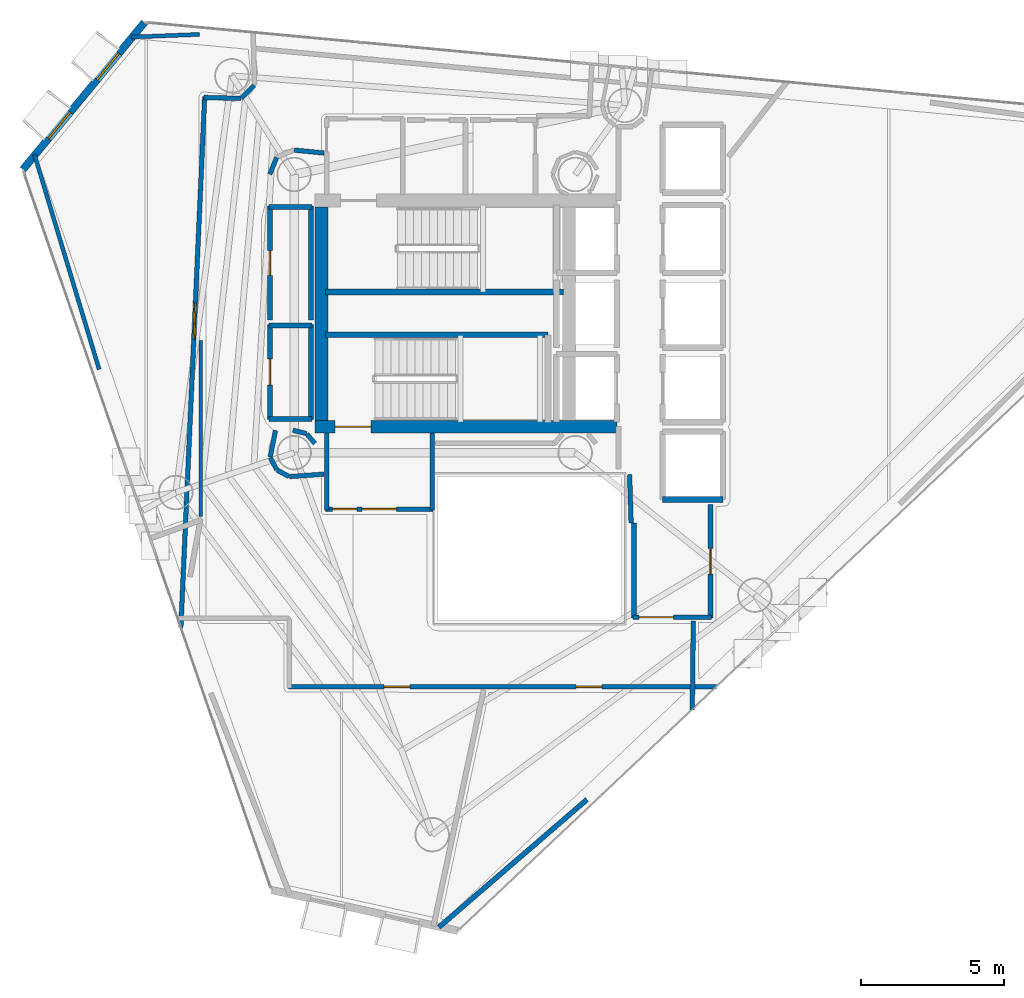
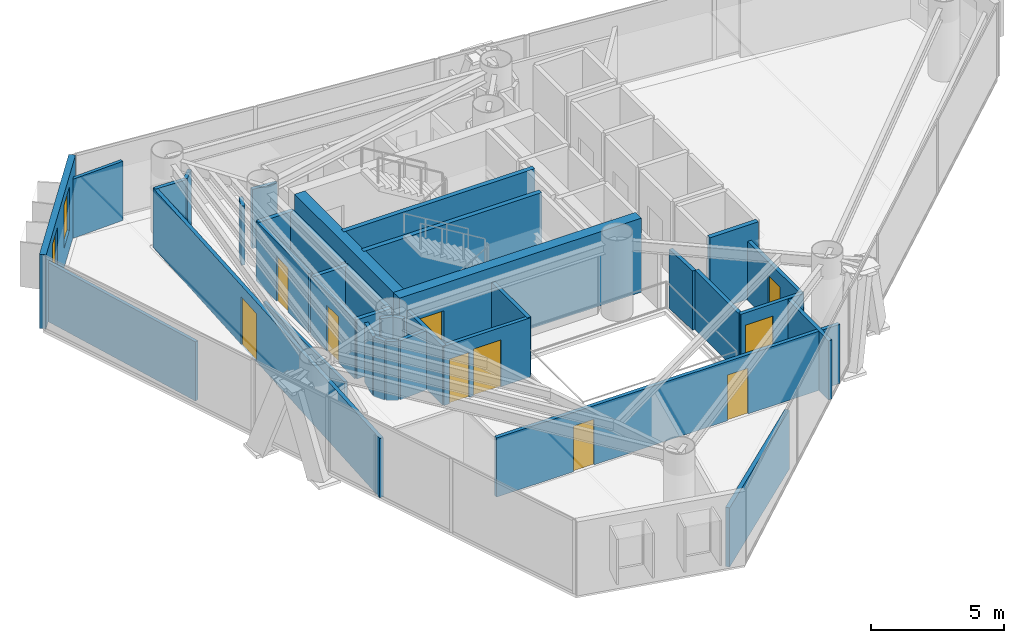
# One storey, part 16 of 20: 37 walls, 10 doors, 2 windows, 12 openings.
"""IFC4 building model written with IfcOpenShell, lengths in metres."""

from ifc_helpers import new_model, si_unit, direction, frame, frame_2d, origin, place, context, subcontext, project, spatial, rectangle, extrude, material, layer, layer_set, type_object, element, fill, save


model = new_model("IFC4")

# Units and contexts
model_context = context("Model", 3, precision=1e-05, world=origin(), true_north=direction((0.0, 1.0)))
body_context = subcontext(model_context, "Body", "Model", "MODEL_VIEW")
ifc_project = project(units=[si_unit("LENGTHUNIT", "METRE"), si_unit("AREAUNIT", "SQUARE_METRE"), si_unit("VOLUMEUNIT", "CUBIC_METRE"), si_unit("PLANEANGLEUNIT", "RADIAN"), si_unit("MASSUNIT", "GRAM", prefix="KILO")], contexts=[model_context])

# Site, building, storey
site_placement = place(None, origin())
site = spatial("IfcSite", under=ifc_project, at=site_placement, CompositionType="ELEMENT")
building_placement = place(site_placement, origin())
building = spatial("IfcBuilding", under=site, at=building_placement, Name="Qianvela Tower", CompositionType="ELEMENT")
storey_placement = place(building_placement, frame((0.0, 0.0, 226.199951171875)))
storey = spatial("IfcBuildingStorey", under=building, at=storey_placement, Name="L58", CompositionType="ELEMENT", Elevation=226.199951171875)

# Wall, openings, windows
ifc_material_1 = material(Name="Terracotta Cladding on Concrete C40", Category="masonry")
ifc_layer_1 = layer(ifc_material_1, 0.260009765625)
ifc_layer_set_1 = layer_set([ifc_layer_1], Name="Terracotta Cladding on Concrete C40")
wall_type_1 = type_object("IfcWallType", Name="TERRACOTTA-WALL-260", PredefinedType="SOLIDWALL", material=ifc_layer_set_1)
wall_1_placement = place(storey_placement, frame((23.37939453125, 38.85498046875, 0.0), z_axis=(0.0, 0.0, 1.0), x_axis=(-0.637074894776, -0.770801906099, 0.0)))
wall_1 = element("IfcWall", 1, at=wall_1_placement, inside=storey, type_object=wall_type_1, Name="L58 Terracotta Chamfer Facet Wall 3", PredefinedType="SOLIDWALL", context=body_context, shape_type="SweptSolid", body=[
    extrude(rectangle(XDim=6.65283203125, YDim=0.260009765625, at=frame_2d((3.326416015625, 0.0))), origin(), (0.0, 0.0, 1.0), 3.400146484375),
])
opening_1_placement = place(wall_1_placement, frame((1.395751953125, 0.0, 0.89990234375)))
opening_1 = element("IfcOpeningElement", 2, at=opening_1_placement, cuts=wall_1, Name="Opening W-03", PredefinedType="OPENING", context=body_context, shape_type="SweptSolid", body=[
    extrude(rectangle(XDim=1.199951171875, YDim=2.0, at=frame_2d((0.60009765625, 1.0))), frame((0.0, 0.139892578125, 0.0), z_axis=(0.0, -1.0, 0.0), x_axis=(1.0, 0.0, 0.0)), (0.0, 0.0, 1.0), 0.280029296875),
])
opening_2_placement = place(wall_1_placement, frame((4.056884765625, 0.0, 0.89990234375)))
opening_2 = element("IfcOpeningElement", 3, at=opening_2_placement, cuts=wall_1, Name="Opening W-03", PredefinedType="OPENING", context=body_context, shape_type="SweptSolid", body=[
    extrude(rectangle(XDim=1.199951171875, YDim=2.0, at=frame_2d((0.60009765625, 1.0))), frame((0.0, 0.139892578125, 0.0), z_axis=(0.0, -1.0, 0.0), x_axis=(1.0, 0.0, 0.0)), (0.0, 0.0, 1.0), 0.280029296875),
])
ifc_material_2 = material(Name="Thermally Broken Aluminium and Low-E Glass", Category="aluminium")
window_type = type_object("IfcWindowType", Name="WIN-TC-1200x2000", PartitioningType="SINGLE_PANEL", PredefinedType="WINDOW", material=ifc_material_2)
window_1_placement = place(opening_1_placement, origin())
window_1 = element("IfcWindow", 4, at=window_1_placement, inside=storey, type_object=window_type, Name="L58 Chamfer Facet Window 3.1", OverallHeight=2.0, OverallWidth=1.199951171875, PartitioningType="SINGLE_PANEL", PredefinedType="WINDOW", context=body_context, shape_type="SweptSolid", body=[
    extrude(rectangle(XDim=1.199951171875, YDim=2.0, at=frame_2d((0.60009765625, 1.0))), frame((0.0, 0.030029296875, 0.0), z_axis=(0.0, -1.0, 0.0), x_axis=(1.0, 0.0, 0.0)), (0.0, 0.0, 1.0), 0.06005859375),
])
fill(opening_1, window_1)
window_2_placement = place(opening_2_placement, origin())
window_2 = element("IfcWindow", 5, at=window_2_placement, inside=storey, type_object=window_type, Name="L58 Chamfer Facet Window 3.2", OverallHeight=2.0, OverallWidth=1.199951171875, PartitioningType="SINGLE_PANEL", PredefinedType="WINDOW", context=body_context, shape_type="SweptSolid", body=[
    extrude(rectangle(XDim=1.199951171875, YDim=2.0, at=frame_2d((0.60009765625, 1.0))), frame((0.0, 0.030029296875, 0.0), z_axis=(0.0, -1.0, 0.0), x_axis=(1.0, 0.0, 0.0)), (0.0, 0.0, 1.0), 0.06005859375),
])
fill(opening_2, window_2)

# Wall, opening, door
ifc_material_3 = material(Name="Concrete C50", Category="concrete")
ifc_layer_2 = layer(ifc_material_3, 0.449951171875)
ifc_layer_set_2 = layer_set([ifc_layer_2], Name="Concrete C50")
wall_type_2 = type_object("IfcWallType", Name="WT-CORE-450", PredefinedType="SHEAR", material=ifc_layer_set_2)
wall_2_placement = place(storey_placement, frame((29.330078125, 24.7548828125, 0.0), z_axis=(0.0, 0.0, 1.0), x_axis=(1.0, 0.0, 0.0)))
wall_2 = element("IfcWall", 6, at=wall_2_placement, inside=storey, type_object=wall_type_2, Name="L58 South Core Shear Wall", PredefinedType="SHEAR", context=body_context, shape_type="SweptSolid", body=[
    extrude(rectangle(XDim=10.52001953125, YDim=0.449951171875, at=frame_2d((5.260009765625, 0.0))), origin(), (0.0, 0.0, 1.0), 3.400146484375),
])
opening_3_placement = place(wall_2_placement, frame((0.695068359375, 0.0, 0.0)))
opening_3 = element("IfcOpeningElement", 7, at=opening_3_placement, cuts=wall_2, Name="Opening D-ST1", PredefinedType="OPENING", context=body_context, shape_type="SweptSolid", body=[
    extrude(rectangle(XDim=1.25, YDim=2.14990234375, at=frame_2d((0.625, 1.074951171875))), frame((0.0, 0.23486328125, 0.0), z_axis=(0.0, -1.0, 0.0), x_axis=(1.0, 0.0, 0.0)), (0.0, 0.0, 1.0), 0.469970703125),
])
ifc_material_4 = material(Name="Galvanised Fire Steel Q355B", Category="steel")
door_type_1 = type_object("IfcDoorType", Name="DT-STAIR-FD90", OperationType="NOTDEFINED", PredefinedType="DOOR", material=ifc_material_4)
door_1_placement = place(opening_3_placement, origin())
door_1 = element("IfcDoor", 8, at=door_1_placement, inside=storey, type_object=door_type_1, Name="L58 Stair ST-2 Exit Door", OperationType="SINGLE_SWING_RIGHT", OverallHeight=2.14990234375, OverallWidth=1.25, PredefinedType="DOOR", context=body_context, shape_type="SweptSolid", body=[
    extrude(rectangle(XDim=1.25, YDim=2.14990234375, at=frame_2d((0.625, 1.074951171875))), frame((0.0, 0.02490234375, 0.0), z_axis=(0.0, -1.0, 0.0), x_axis=(1.0, 0.0, 0.0)), (0.0, 0.0, 1.0), 0.050048828125),
])
fill(opening_3, door_1)

# Wall
wall_3_placement = place(storey_placement, frame((29.554931640625, 24.97998046875, 0.0), z_axis=(0.0, 0.0, 1.0), x_axis=(0.0, 1.0, 0.0)))
element("IfcWall", 9, at=wall_3_placement, inside=storey, type_object=wall_type_2, Name="L58 West Core Shear Wall", PredefinedType="SHEAR", context=body_context, shape_type="SweptSolid", body=[
    extrude(rectangle(XDim=7.43994140625, YDim=0.449951171875, at=frame_2d((3.719970703125, 0.0))), origin(), (0.0, 0.0, 1.0), 3.400146484375),
])

# Wall, openings, doors
ifc_material_5 = material(Name="Fire-Rated Gypsum and Concrete Block", Category="concrete")
ifc_layer_3 = layer(ifc_material_5, 0.159912109375)
ifc_layer_set_3 = layer_set([ifc_layer_3], Name="Fire-Rated Gypsum and Concrete Block")
wall_type_3 = type_object("IfcWallType", Name="WT-CORR-160", PredefinedType="PARTITIONING", material=ifc_layer_set_3)
wall_4_placement = place(storey_placement, frame((33.449951171875, 21.881103515625, 0.0), z_axis=(0.0, 0.0, 1.0), x_axis=(-1.0, 0.0, 0.0)))
wall_4 = element("IfcWall", 10, at=wall_4_placement, inside=storey, type_object=wall_type_3, Name="L58 Partition 5", PredefinedType="PARTITIONING", context=body_context, shape_type="SweptSolid", body=[
    extrude(rectangle(XDim=3.75, YDim=0.159912109375, at=frame_2d((1.875, 0.0))), origin(), (0.0, 0.0, 1.0), 2.719970703125),
])
opening_4_placement = place(wall_4_placement, frame((1.27490234375, 0.0, 0.0)))
opening_4 = element("IfcOpeningElement", 11, at=opening_4_placement, cuts=wall_4, Name="Opening D-LB1", PredefinedType="OPENING", context=body_context, shape_type="SweptSolid", body=[
    extrude(rectangle(XDim=1.199951171875, YDim=2.14990234375, at=frame_2d((0.60009765625, 1.074951171875))), frame((0.0, 0.08984375, 0.0), z_axis=(0.0, -1.0, 0.0), x_axis=(1.0, 0.0, 0.0)), (0.0, 0.0, 1.0), 0.179931640625),
])
opening_5_placement = place(wall_4_placement, frame((2.659912109375, 0.0, 0.0)))
opening_5 = element("IfcOpeningElement", 12, at=opening_5_placement, cuts=wall_4, Name="Opening D-LB2", PredefinedType="OPENING", context=body_context, shape_type="SweptSolid", body=[
    extrude(rectangle(XDim=0.860107421875, YDim=2.050048828125, at=frame_2d((0.43017578125, 1.02490234375))), frame((0.0, 0.08984375, 0.0), z_axis=(0.0, -1.0, 0.0), x_axis=(1.0, 0.0, 0.0)), (0.0, 0.0, 1.0), 0.179931640625),
])
ifc_material_6 = material(Name="Glazed Fire-Rated Steel Frame", Category="steel")
door_type_2 = type_object("IfcDoorType", Name="DT-LOBBY-FD90", OperationType="NOTDEFINED", PredefinedType="DOOR", material=ifc_material_6)
door_2_placement = place(opening_4_placement, origin())
door_2 = element("IfcDoor", 13, at=door_2_placement, inside=storey, type_object=door_type_2, Name="L58 Door L58 Firefighting Lobby South to L58 Floor Corridor", OperationType="SINGLE_SWING_LEFT", OverallHeight=2.14990234375, OverallWidth=1.199951171875, PredefinedType="DOOR", context=body_context, shape_type="SweptSolid", body=[
    extrude(rectangle(XDim=1.199951171875, YDim=2.14990234375, at=frame_2d((0.60009765625, 1.074951171875))), frame((0.0, 0.02490234375, 0.0), z_axis=(0.0, -1.0, 0.0), x_axis=(1.0, 0.0, 0.0)), (0.0, 0.0, 1.0), 0.050048828125),
])
fill(opening_4, door_2)
ifc_material_7 = material(Name="Insulated Steel Fire Door Q355B", Category="steel")
door_type_3 = type_object("IfcDoorType", Name="DT-LOBBY-FD90-860", OperationType="NOTDEFINED", PredefinedType="DOOR", material=ifc_material_7)
door_3_placement = place(opening_5_placement, origin())
door_3 = element("IfcDoor", 14, at=door_3_placement, inside=storey, type_object=door_type_3, Name="L58 Door L58 Firefighting Lobby South to L58 Floor Corridor", OperationType="SINGLE_SWING_LEFT", OverallHeight=2.050048828125, OverallWidth=0.860107421875, PredefinedType="DOOR", context=body_context, shape_type="SweptSolid", body=[
    extrude(rectangle(XDim=0.860107421875, YDim=2.050048828125, at=frame_2d((0.43017578125, 1.02490234375))), frame((0.0, 0.02490234375, 0.0), z_axis=(0.0, -1.0, 0.0), x_axis=(1.0, 0.0, 0.0)), (0.0, 0.0, 1.0), 0.050048828125),
])
fill(opening_5, door_3)

# Walls
for number, where, z_axis, x_axis, name in (
    (15, (29.73095703125, 21.85009765625, 0.0), (0.0, 0.0, 1.0), (0.0, 1.0, 0.0), "L58 Partition 6"),
    (16, (33.4189453125, 24.5419921875, 0.0), (0.0, 0.0, 1.0), (0.0, -1.0, 0.0), "L58 Partition 8"),
):
    element("IfcWall", number, at=place(storey_placement, frame(where, z_axis=z_axis, x_axis=x_axis)), inside=storey, type_object=wall_type_3, Name=name, PredefinedType="PARTITIONING", context=body_context, shape_type="SweptSolid", body=[
        extrude(rectangle(XDim=2.69189453125, YDim=0.159912109375, at=frame_2d((1.345947265625, 0.0))), origin(), (0.0, 0.0, 1.0), 2.719970703125),
    ])
wall_5_placement = place(storey_placement, frame((40.35107421875, 21.40087890625, 0.0), z_axis=(0.0, 0.0, 1.0), x_axis=(-0.031058045979, 0.999517582527, 0.0)))
element("IfcWall", 17, at=wall_5_placement, inside=storey, type_object=wall_type_3, Name="L58 Partition 9", PredefinedType="PARTITIONING", context=body_context, shape_type="SweptSolid", body=[
    extrude(rectangle(XDim=1.68212890625, YDim=0.159912109375, at=frame_2d((0.841064453125, 0.0))), origin(), (0.0, 0.0, 1.0), 2.719970703125),
])

# Wall, opening, door
wall_6_placement = place(storey_placement, frame((43.118896484375, 22.050048828125, 0.0), z_axis=(0.0, 0.0, 1.0), x_axis=(0.0, -1.0, 0.0)))
wall_6 = element("IfcWall", 18, at=wall_6_placement, inside=storey, type_object=wall_type_3, Name="L58 Partition 17", PredefinedType="PARTITIONING", context=body_context, shape_type="SweptSolid", body=[
    extrude(rectangle(XDim=3.969970703125, YDim=0.159912109375, at=frame_2d((1.98486328125, 0.0))), origin(), (0.0, 0.0, 1.0), 2.719970703125),
])
opening_6_placement = place(wall_6_placement, frame((1.534912109375, 0.0, 0.0)))
opening_6 = element("IfcOpeningElement", 19, at=opening_6_placement, cuts=wall_6, Name="Opening D-KT1", PredefinedType="OPENING", context=body_context, shape_type="SweptSolid", body=[
    extrude(rectangle(XDim=0.89990234375, YDim=2.10009765625, at=frame_2d((0.449951171875, 1.050048828125))), frame((0.0, 0.08984375, 0.0), z_axis=(0.0, -1.0, 0.0), x_axis=(1.0, 0.0, 0.0)), (0.0, 0.0, 1.0), 0.179931640625),
])
ifc_material_8 = material(Name="Glazed Timber Kitchen Door", Category="wood")
door_type_4 = type_object("IfcDoorType", Name="DT-KITCH-900", OperationType="NOTDEFINED", PredefinedType="DOOR", material=ifc_material_8)
door_4_placement = place(opening_6_placement, origin())
door_4 = element("IfcDoor", 20, at=door_4_placement, inside=storey, type_object=door_type_4, Name="L58 Door Student Tea Pantry L58-03 to L58 Lift Lobby", OperationType="SINGLE_SWING_RIGHT", OverallHeight=2.10009765625, OverallWidth=0.89990234375, PredefinedType="DOOR", context=body_context, shape_type="SweptSolid", body=[
    extrude(rectangle(XDim=0.89990234375, YDim=2.10009765625, at=frame_2d((0.449951171875, 1.050048828125))), frame((0.0, 0.02490234375, 0.0), z_axis=(0.0, -1.0, 0.0), x_axis=(1.0, 0.0, 0.0)), (0.0, 0.0, 1.0), 0.050048828125),
])
fill(opening_6, door_4)

wall_7_placement = place(storey_placement, frame((43.14990234375, 18.111083984375, 0.0), z_axis=(0.0, 0.0, 1.0), x_axis=(-1.0, 0.0, 0.0)))
wall_7 = element("IfcWall", 21, at=wall_7_placement, inside=storey, type_object=wall_type_3, Name="L58 Partition 18", PredefinedType="PARTITIONING", context=body_context, shape_type="SweptSolid", body=[
    extrude(rectangle(XDim=2.72998046875, YDim=0.159912109375, at=frame_2d((1.364990234375, 0.0))), origin(), (0.0, 0.0, 1.0), 2.719970703125),
])
opening_7_placement = place(wall_7_placement, frame((1.324951171875, 0.0, 0.0)))
opening_7 = element("IfcOpeningElement", 22, at=opening_7_placement, cuts=wall_7, Name="Opening D-LB1", PredefinedType="OPENING", context=body_context, shape_type="SweptSolid", body=[
    extrude(rectangle(XDim=1.199951171875, YDim=2.14990234375, at=frame_2d((0.60009765625, 1.074951171875))), frame((0.0, 0.08984375, 0.0), z_axis=(0.0, -1.0, 0.0), x_axis=(1.0, 0.0, 0.0)), (0.0, 0.0, 1.0), 0.179931640625),
])
door_5_placement = place(opening_7_placement, origin())
door_5 = element("IfcDoor", 23, at=door_5_placement, inside=storey, type_object=door_type_2, Name="L58 Door L58 Lift Lobby to L58 Floor Corridor", OperationType="SINGLE_SWING_RIGHT", OverallHeight=2.14990234375, OverallWidth=1.199951171875, PredefinedType="DOOR", context=body_context, shape_type="SweptSolid", body=[
    extrude(rectangle(XDim=1.199951171875, YDim=2.14990234375, at=frame_2d((0.60009765625, 1.074951171875))), frame((0.0, 0.02490234375, 0.0), z_axis=(0.0, -1.0, 0.0), x_axis=(1.0, 0.0, 0.0)), (0.0, 0.0, 1.0), 0.050048828125),
])
fill(opening_7, door_5)

# Walls
wall_8_placement = place(storey_placement, frame((40.450927734375, 18.080078125, 0.0), z_axis=(0.0, 0.0, 1.0), x_axis=(0.0, 1.0, 0.0)))
element("IfcWall", 24, at=wall_8_placement, inside=storey, type_object=wall_type_3, Name="L58 Partition 19 seg 1", PredefinedType="PARTITIONING", context=body_context, shape_type="SweptSolid", body=[
    extrude(rectangle(XDim=3.31982421875, YDim=0.159912109375, at=frame_2d((1.659912109375, 0.0))), origin(), (0.0, 0.0, 1.0), 2.719970703125),
])
wall_9_placement = place(storey_placement, frame((29.321044921875, 24.169921875, 0.0), z_axis=(0.0, 0.0, 1.0), x_axis=(-0.638008265708, 0.770029514296, 0.0)))
element("IfcWall", 25, at=wall_9_placement, inside=storey, type_object=wall_type_3, Name="L58 Partition 40", PredefinedType="PARTITIONING", context=body_context, shape_type="SweptSolid", body=[
    extrude(rectangle(XDim=0.430908203125, YDim=0.159912109375, at=frame_2d((0.21533203125, 0.0))), origin(), (0.0, 0.0, 1.0), 2.719970703125),
])
wall_10_placement = place(storey_placement, frame((29.030029296875, 24.511962890625, 0.0), z_axis=(0.0, 0.0, 1.0), x_axis=(-0.967681003213, 0.252177469296, 0.0)))
element("IfcWall", 26, at=wall_10_placement, inside=storey, type_object=wall_type_3, Name="L58 Partition 41", PredefinedType="PARTITIONING", context=body_context, shape_type="SweptSolid", body=[
    extrude(rectangle(XDim=0.488037109375, YDim=0.159912109375, at=frame_2d((0.244140625, 0.0))), origin(), (0.0, 0.0, 1.0), 2.719970703125),
])
wall_11_placement = place(storey_placement, frame((29.64111328125, 34.298583984375, 0.0), z_axis=(0.0, 0.0, 1.0), x_axis=(-0.995179827095, 0.098066873836, 0.0)))
element("IfcWall", 27, at=wall_11_placement, inside=storey, type_object=wall_type_3, Name="L58 Partition 59", PredefinedType="PARTITIONING", context=body_context, shape_type="SweptSolid", body=[
    extrude(rectangle(XDim=1.043212890625, YDim=0.159912109375, at=frame_2d((0.521484375, 0.0))), origin(), (0.0, 0.0, 1.0), 2.719970703125),
])
wall_12_placement = place(storey_placement, frame((27.991455078125, 34.1416015625, 0.0), z_axis=(0.0, 0.0, 1.0), x_axis=(-0.382569489008, -0.923926721164, 0.0)))
element("IfcWall", 28, at=wall_12_placement, inside=storey, type_object=wall_type_3, Name="L58 Partition 61", PredefinedType="PARTITIONING", context=body_context, shape_type="SweptSolid", body=[
    extrude(rectangle(XDim=0.627197265625, YDim=0.159912109375, at=frame_2d((0.3134765625, 0.0))), origin(), (0.0, 0.0, 1.0), 2.719970703125),
])
wall_13_placement = place(storey_placement, frame((27.950439453125, 24.626220703125, 0.0), z_axis=(0.0, 0.0, 1.0), x_axis=(-0.195125950178, -0.980778192848, 0.0)))
element("IfcWall", 29, at=wall_13_placement, inside=storey, type_object=wall_type_3, Name="L58 Partition 65", PredefinedType="PARTITIONING", context=body_context, shape_type="SweptSolid", body=[
    extrude(rectangle(XDim=0.948486328125, YDim=0.159912109375, at=frame_2d((0.47412109375, 0.0))), origin(), (0.0, 0.0, 1.0), 2.719970703125),
])
for number, where, z_axis, x_axis, name in (
    (30, (27.768310546875, 23.67529296875, 0.0), (0.0, 0.0, 1.0), (0.471865548338, -0.881670519123, 0.0), "L58 Partition 66"),
    (31, (28.005615234375, 23.242919921875, 0.0), (0.0, 0.0, 1.0), (0.881670519123, -0.471865548338, 0.0), "L58 Partition 67"),
):
    element("IfcWall", number, at=place(storey_placement, frame(where, z_axis=z_axis, x_axis=x_axis)), inside=storey, type_object=wall_type_3, Name=name, PredefinedType="PARTITIONING", context=body_context, shape_type="SweptSolid", body=[
        extrude(rectangle(XDim=0.47607421875, YDim=0.159912109375, at=frame_2d((0.238037109375, 0.0))), origin(), (0.0, 0.0, 1.0), 2.719970703125),
    ])
wall_14_placement = place(storey_placement, frame((28.4423828125, 23.014892578125, 0.0), z_axis=(0.0, 0.0, 1.0), x_axis=(0.99740683837, 0.07196942943, 0.0)))
element("IfcWall", 32, at=wall_14_placement, inside=storey, type_object=wall_type_3, Name="L58 Partition 68", PredefinedType="PARTITIONING", context=body_context, shape_type="SweptSolid", body=[
    extrude(rectangle(XDim=1.200927734375, YDim=0.159912109375, at=frame_2d((0.6005859375, 0.0))), origin(), (0.0, 0.0, 1.0), 2.719970703125),
])
wall_15_placement = place(storey_placement, frame((42.51904296875, 17.98046875, 0.0), z_axis=(0.0, 0.0, 1.0), x_axis=(-0.011327152438, -0.999935845751, 0.0)))
element("IfcWall", 33, at=wall_15_placement, inside=storey, type_object=wall_type_3, Name="L58 Partition 72", PredefinedType="PARTITIONING", context=body_context, shape_type="SweptSolid", body=[
    extrude(rectangle(XDim=3.103759765625, YDim=0.159912109375, at=frame_2d((1.5517578125, 0.0))), origin(), (0.0, 0.0, 1.0), 2.719970703125),
])

# Wall, openings, doors
wall_16_placement = place(storey_placement, frame((43.333251953125, 15.680908203125, 0.0), z_axis=(0.0, 0.0, 1.0), x_axis=(-1.0, 0.0, 0.0)))
wall_16 = element("IfcWall", 34, at=wall_16_placement, inside=storey, type_object=wall_type_3, Name="L58 Partition 73", PredefinedType="PARTITIONING", context=body_context, shape_type="SweptSolid", body=[
    extrude(rectangle(XDim=14.933349609375, YDim=0.159912109375, at=frame_2d((7.466796875, 0.0))), origin(), (0.0, 0.0, 1.0), 2.719970703125),
])
opening_8_placement = place(wall_16_placement, frame((10.69287109375, 0.0, 0.0)))
opening_8 = element("IfcOpeningElement", 35, at=opening_8_placement, cuts=wall_16, Name="Opening D-KT1", PredefinedType="OPENING", context=body_context, shape_type="SweptSolid", body=[
    extrude(rectangle(XDim=0.89990234375, YDim=2.10009765625, at=frame_2d((0.449951171875, 1.050048828125))), frame((0.0, 0.08984375, 0.0), z_axis=(0.0, -1.0, 0.0), x_axis=(1.0, 0.0, 0.0)), (0.0, 0.0, 1.0), 0.179931640625),
])
opening_9_placement = place(wall_16_placement, frame((4.001953125, 0.0, 0.0)))
opening_9 = element("IfcOpeningElement", 36, at=opening_9_placement, cuts=wall_16, Name="Opening D-KT1", PredefinedType="OPENING", context=body_context, shape_type="SweptSolid", body=[
    extrude(rectangle(XDim=0.89990234375, YDim=2.10009765625, at=frame_2d((0.449951171875, 1.050048828125))), frame((0.0, 0.08984375, 0.0), z_axis=(0.0, -1.0, 0.0), x_axis=(1.0, 0.0, 0.0)), (0.0, 0.0, 1.0), 0.179931640625),
])
door_6_placement = place(opening_8_placement, origin())
door_6 = element("IfcDoor", 37, at=door_6_placement, inside=storey, type_object=door_type_4, Name="L58 Door Social Galley Kitchen L58-01 to L58 Floor Corridor", OperationType="SINGLE_SWING_RIGHT", OverallHeight=2.10009765625, OverallWidth=0.89990234375, PredefinedType="DOOR", context=body_context, shape_type="SweptSolid", body=[
    extrude(rectangle(XDim=0.89990234375, YDim=2.10009765625, at=frame_2d((0.449951171875, 1.050048828125))), frame((0.0, 0.02490234375, 0.0), z_axis=(0.0, -1.0, 0.0), x_axis=(1.0, 0.0, 0.0)), (0.0, 0.0, 1.0), 0.050048828125),
])
fill(opening_8, door_6)
door_7_placement = place(opening_9_placement, origin())
door_7 = element("IfcDoor", 38, at=door_7_placement, inside=storey, type_object=door_type_4, Name="L58 Door Shared Communal Kitchen L58-02 to L58 Floor Corridor", OperationType="SINGLE_SWING_LEFT", OverallHeight=2.10009765625, OverallWidth=0.89990234375, PredefinedType="DOOR", context=body_context, shape_type="SweptSolid", body=[
    extrude(rectangle(XDim=0.89990234375, YDim=2.10009765625, at=frame_2d((0.449951171875, 1.050048828125))), frame((0.0, 0.02490234375, 0.0), z_axis=(0.0, -1.0, 0.0), x_axis=(1.0, 0.0, 0.0)), (0.0, 0.0, 1.0), 0.050048828125),
])
fill(opening_9, door_7)

# Wall, opening, door
wall_17_placement = place(storey_placement, frame((24.650390625, 17.76318359375, 0.0), z_axis=(0.0, 0.0, 1.0), x_axis=(0.044837312533, 0.998994301988, 0.0)))
wall_17 = element("IfcWall", 39, at=wall_17_placement, inside=storey, type_object=wall_type_3, Name="L58 Partition 76", PredefinedType="PARTITIONING", context=body_context, shape_type="SweptSolid", body=[
    extrude(rectangle(XDim=18.52392578125, YDim=0.159912109375, at=frame_2d((9.261962890625, 0.0))), origin(), (0.0, 0.0, 1.0), 2.719970703125),
])
opening_10_placement = place(wall_17_placement, frame((10.06494140625, 0.0, 0.0)))
opening_10 = element("IfcOpeningElement", 40, at=opening_10_placement, cuts=wall_17, Name="Opening D-LG1", PredefinedType="OPENING", context=body_context, shape_type="SweptSolid", body=[
    extrude(rectangle(XDim=1.25, YDim=2.199951171875, at=frame_2d((0.625, 1.10009765625))), frame((0.0, 0.08984375, 0.0), z_axis=(0.0, -1.0, 0.0), x_axis=(1.0, 0.0, 0.0)), (0.0, 0.0, 1.0), 0.179931640625),
])
ifc_material_9 = material(Name="Anodised Aluminium Acoustic Glass Door", Category="aluminium")
door_type_5 = type_object("IfcDoorType", Name="DT-LOUNGE-1250", OperationType="NOTDEFINED", PredefinedType="DOOR", material=ifc_material_9)
door_8_placement = place(opening_10_placement, origin())
door_8 = element("IfcDoor", 41, at=door_8_placement, inside=storey, type_object=door_type_5, Name="L58 Door Campus Convenience Shop L58-05 to L58 Floor Corridor", OperationType="SINGLE_SWING_LEFT", OverallHeight=2.199951171875, OverallWidth=1.25, PredefinedType="DOOR", context=body_context, shape_type="SweptSolid", body=[
    extrude(rectangle(XDim=1.25, YDim=2.199951171875, at=frame_2d((0.625, 1.10009765625))), frame((0.0, 0.02490234375, 0.0), z_axis=(0.0, -1.0, 0.0), x_axis=(1.0, 0.0, 0.0)), (0.0, 0.0, 1.0), 0.050048828125),
])
fill(opening_10, door_8)

# Walls
wall_18_placement = place(storey_placement, frame((25.44921875, 36.237548828125, 0.0), z_axis=(0.0, 0.0, 1.0), x_axis=(0.999651698073, -0.026390955635, 0.0)))
element("IfcWall", 42, at=wall_18_placement, inside=storey, type_object=wall_type_3, Name="L58 Partition 77", PredefinedType="PARTITIONING", context=body_context, shape_type="SweptSolid", body=[
    extrude(rectangle(XDim=1.295166015625, YDim=0.159912109375, at=frame_2d((0.6474609375, 0.0))), origin(), (0.0, 0.0, 1.0), 2.719970703125),
])
wall_19_placement = place(storey_placement, frame((26.7666015625, 36.21240234375, 0.0), z_axis=(0.0, 0.0, 1.0), x_axis=(0.707106781187, 0.707106781187, 0.0)))
element("IfcWall", 43, at=wall_19_placement, inside=storey, type_object=wall_type_3, Name="L58 Partition 78", PredefinedType="PARTITIONING", context=body_context, shape_type="SweptSolid", body=[
    extrude(rectangle(XDim=0.627685546875, YDim=0.159912109375, at=frame_2d((0.31396484375, 0.0))), origin(), (0.0, 0.0, 1.0), 2.719970703125),
])
ifc_material_10 = material(Name="Insulated Gypsum Stud Partition")
ifc_layer_4 = layer(ifc_material_10, 0.1201171875)
ifc_layer_set_4 = layer_set([ifc_layer_4], Name="Insulated Gypsum Stud Partition")
wall_type_4 = type_object("IfcWallType", Name="WT-PART-120", PredefinedType="PARTITIONING", material=ifc_layer_set_4)
wall_20_placement = place(storey_placement, frame((25.339111328125, 27.757080078125, 0.0), z_axis=(0.0, 0.0, 1.0), x_axis=(0.0, -1.0, 0.0)))
element("IfcWall", 44, at=wall_20_placement, inside=storey, type_object=wall_type_4, Name="L58 Partition 131 seg 2", PredefinedType="PARTITIONING", context=body_context, shape_type="SweptSolid", body=[
    extrude(rectangle(XDim=6.12744140625, YDim=0.1201171875, at=frame_2d((3.063720703125, 0.0))), origin(), (0.0, 0.0, 1.0), 2.719970703125),
])

# Wall, opening, door
ifc_material_11 = material(Name="Moisture-Resistant Acoustic Plumbing Wall")
ifc_layer_5 = layer(ifc_material_11, 0.175048828125)
ifc_layer_set_5 = layer_set([ifc_layer_5], Name="Moisture-Resistant Acoustic Plumbing Wall")
wall_type_5 = type_object("IfcWallType", Name="WT-PLUMB-175", PredefinedType="PLUMBINGWALL", material=ifc_layer_set_5)
wall_21_placement = place(storey_placement, frame((27.7509765625, 25.0, 0.0), z_axis=(0.0, 0.0, 1.0), x_axis=(0.0, 1.0, 0.0)))
wall_21 = element("IfcWall", 45, at=wall_21_placement, inside=storey, type_object=wall_type_5, Name="L58 Partition 28", PredefinedType="PLUMBINGWALL", context=body_context, shape_type="SweptSolid", body=[
    extrude(rectangle(XDim=3.320068359375, YDim=0.175048828125, at=frame_2d((1.66015625, 0.0))), origin(), (0.0, 0.0, 1.0), 2.719970703125),
])
opening_11_placement = place(wall_21_placement, frame((1.2099609375, 0.0, 0.0)))
opening_11 = element("IfcOpeningElement", 46, at=opening_11_placement, cuts=wall_21, Name="Opening D-KT1", PredefinedType="OPENING", context=body_context, shape_type="SweptSolid", body=[
    extrude(rectangle(XDim=0.89990234375, YDim=2.10009765625, at=frame_2d((0.449951171875, 1.050048828125))), frame((0.0, 0.097412109375, 0.0), z_axis=(0.0, -1.0, 0.0), x_axis=(1.0, 0.0, 0.0)), (0.0, 0.0, 1.0), 0.195068359375),
])
door_9_placement = place(opening_11_placement, origin())
door_9 = element("IfcDoor", 47, at=door_9_placement, inside=storey, type_object=door_type_4, Name="L58 Door L58 Core Tea Pantry West to L58 Floor Corridor", OperationType="SINGLE_SWING_LEFT", OverallHeight=2.10009765625, OverallWidth=0.89990234375, PredefinedType="DOOR", context=body_context, shape_type="SweptSolid", body=[
    extrude(rectangle(XDim=0.89990234375, YDim=2.10009765625, at=frame_2d((0.449951171875, 1.050048828125))), frame((0.0, 0.02490234375, 0.0), z_axis=(0.0, -1.0, 0.0), x_axis=(1.0, 0.0, 0.0)), (0.0, 0.0, 1.0), 0.050048828125),
])
fill(opening_11, door_9)

# Walls
wall_22_placement = place(storey_placement, frame((27.719970703125, 28.2890625, 0.0), z_axis=(0.0, 0.0, 1.0), x_axis=(1.0, 0.0, 0.0)))
element("IfcWall", 48, at=wall_22_placement, inside=storey, type_object=wall_type_5, Name="L58 Partition 29", PredefinedType="PLUMBINGWALL", context=body_context, shape_type="SweptSolid", body=[
    extrude(rectangle(XDim=1.5, YDim=0.175048828125, at=frame_2d((0.75, 0.0))), origin(), (0.0, 0.0, 1.0), 2.719970703125),
])
wall_23_placement = place(storey_placement, frame((29.18896484375, 28.320068359375, 0.0), z_axis=(0.0, 0.0, 1.0), x_axis=(0.0, -1.0, 0.0)))
element("IfcWall", 49, at=wall_23_placement, inside=storey, type_object=wall_type_5, Name="L58 Partition 30", PredefinedType="PLUMBINGWALL", context=body_context, shape_type="SweptSolid", body=[
    extrude(rectangle(XDim=3.320068359375, YDim=0.175048828125, at=frame_2d((1.66015625, 0.0))), origin(), (0.0, 0.0, 1.0), 2.719970703125),
])
wall_24_placement = place(storey_placement, frame((29.219970703125, 25.031005859375, 0.0), z_axis=(0.0, 0.0, 1.0), x_axis=(-1.0, 0.0, 0.0)))
element("IfcWall", 50, at=wall_24_placement, inside=storey, type_object=wall_type_5, Name="L58 Partition 31", PredefinedType="PLUMBINGWALL", context=body_context, shape_type="SweptSolid", body=[
    extrude(rectangle(XDim=1.5, YDim=0.175048828125, at=frame_2d((0.75, 0.0))), origin(), (0.0, 0.0, 1.0), 2.719970703125),
])

# Wall, opening, door
wall_25_placement = place(storey_placement, frame((27.7509765625, 28.47998046875, 0.0), z_axis=(0.0, 0.0, 1.0), x_axis=(0.0, 1.0, 0.0)))
wall_25 = element("IfcWall", 51, at=wall_25_placement, inside=storey, type_object=wall_type_5, Name="L58 Partition 32", PredefinedType="PLUMBINGWALL", context=body_context, shape_type="SweptSolid", body=[
    extrude(rectangle(XDim=3.969970703125, YDim=0.175048828125, at=frame_2d((1.98486328125, 0.0))), origin(), (0.0, 0.0, 1.0), 2.719970703125),
])
opening_12_placement = place(wall_25_placement, frame((1.554931640625, 0.0, 0.0)))
opening_12 = element("IfcOpeningElement", 52, at=opening_12_placement, cuts=wall_25, Name="Opening D-WC1", PredefinedType="OPENING", context=body_context, shape_type="SweptSolid", body=[
    extrude(rectangle(XDim=0.860107421875, YDim=2.050048828125, at=frame_2d((0.43017578125, 1.02490234375))), frame((0.0, 0.097412109375, 0.0), z_axis=(0.0, -1.0, 0.0), x_axis=(1.0, 0.0, 0.0)), (0.0, 0.0, 1.0), 0.195068359375),
])
ifc_material_12 = material(Name="Moisture-Sealed Acoustic Timber Door", Category="wood")
door_type_6 = type_object("IfcDoorType", Name="DT-WC-860", OperationType="NOTDEFINED", PredefinedType="DOOR", material=ifc_material_12)
door_10_placement = place(opening_12_placement, origin())
door_10 = element("IfcDoor", 53, at=door_10_placement, inside=storey, type_object=door_type_6, Name="L58 Door L58 Accessible WC to L58 Floor Corridor", OperationType="SINGLE_SWING_RIGHT", OverallHeight=2.050048828125, OverallWidth=0.860107421875, PredefinedType="DOOR", context=body_context, shape_type="SweptSolid", body=[
    extrude(rectangle(XDim=0.860107421875, YDim=2.050048828125, at=frame_2d((0.43017578125, 1.02490234375))), frame((0.0, 0.02490234375, 0.0), z_axis=(0.0, -1.0, 0.0), x_axis=(1.0, 0.0, 0.0)), (0.0, 0.0, 1.0), 0.050048828125),
])
fill(opening_12, door_10)

# Walls
wall_26_placement = place(storey_placement, frame((27.719970703125, 32.4189453125, 0.0), z_axis=(0.0, 0.0, 1.0), x_axis=(1.0, 0.0, 0.0)))
element("IfcWall", 54, at=wall_26_placement, inside=storey, type_object=wall_type_5, Name="L58 Partition 33", PredefinedType="PLUMBINGWALL", context=body_context, shape_type="SweptSolid", body=[
    extrude(rectangle(XDim=1.5, YDim=0.175048828125, at=frame_2d((0.75, 0.0))), origin(), (0.0, 0.0, 1.0), 2.719970703125),
])
wall_27_placement = place(storey_placement, frame((29.18896484375, 32.449951171875, 0.0), z_axis=(0.0, 0.0, 1.0), x_axis=(0.0, -1.0, 0.0)))
element("IfcWall", 55, at=wall_27_placement, inside=storey, type_object=wall_type_5, Name="L58 Partition 34", PredefinedType="PLUMBINGWALL", context=body_context, shape_type="SweptSolid", body=[
    extrude(rectangle(XDim=3.969970703125, YDim=0.175048828125, at=frame_2d((1.98486328125, 0.0))), origin(), (0.0, 0.0, 1.0), 2.719970703125),
])
wall_28_placement = place(storey_placement, frame((38.8115234375, 11.755126953125, 0.0), z_axis=(0.0, 0.0, 1.0), x_axis=(-0.757241437099, -0.653135059494, 0.0)))
element("IfcWall", 56, at=wall_28_placement, inside=storey, type_object=wall_type_5, Name="L58 Partition 88 seg 1", PredefinedType="PLUMBINGWALL", context=body_context, shape_type="SweptSolid", body=[
    extrude(rectangle(XDim=6.819580078125, YDim=0.175048828125, at=frame_2d((3.40966796875, 0.0))), origin(), (0.0, 0.0, 1.0), 2.719970703125),
])
ifc_material_13 = material(Name="Acoustic Double Gypsum Stud Partition")
ifc_layer_6 = layer(ifc_material_13, 0.139892578125)
ifc_layer_set_6 = layer_set([ifc_layer_6], Name="Acoustic Double Gypsum Stud Partition")
wall_type_6 = type_object("IfcWallType", Name="WT-ROOM-140", PredefinedType="PARTITIONING", material=ifc_layer_set_6)
wall_29_placement = place(storey_placement, frame((22.934814453125, 38.343017578125, 0.0), z_axis=(0.0, 0.0, 1.0), x_axis=(0.999238592885, 0.039015823583, 0.0)))
element("IfcWall", 57, at=wall_29_placement, inside=storey, type_object=wall_type_6, Name="L58 Partition 127 seg 1", PredefinedType="PARTITIONING", context=body_context, shape_type="SweptSolid", body=[
    extrude(rectangle(XDim=2.365234375, YDim=0.139892578125, at=frame_2d((1.1826171875, 0.0))), origin(), (0.0, 0.0, 1.0), 2.719970703125),
])
wall_30_placement = place(storey_placement, frame((21.801513671875, 26.75341796875, 0.0), z_axis=(0.0, 0.0, 1.0), x_axis=(-0.288358504088, 0.957522518336, 0.0)))
element("IfcWall", 58, at=wall_30_placement, inside=storey, type_object=wall_type_6, Name="L58 Partition 133 seg 1", PredefinedType="PARTITIONING", context=body_context, shape_type="SweptSolid", body=[
    extrude(rectangle(XDim=7.822265625, YDim=0.139892578125, at=frame_2d((3.9111328125, 0.0))), origin(), (0.0, 0.0, 1.0), 2.719970703125),
])
ifc_material_14 = material(Name="Concrete C50", Category="concrete")
ifc_layer_7 = layer(ifc_material_14, 0.199951171875)
ifc_layer_set_7 = layer_set([ifc_layer_7], Name="Concrete C50")
wall_type_7 = type_object("IfcWallType", Name="WT-SHAFT-200", PredefinedType="SOLIDWALL", material=ifc_layer_set_7)
wall_31_placement = place(storey_placement, frame((29.699951171875, 29.449951171875, 0.0), z_axis=(0.0, 0.0, 1.0), x_axis=(1.0, 0.0, 0.0)))
element("IfcWall", 59, at=wall_31_placement, inside=storey, type_object=wall_type_7, Name="L58 Stair ST-1 South Wall", PredefinedType="SOLIDWALL", context=body_context, shape_type="SweptSolid", body=[
    extrude(rectangle(XDim=8.300048828125, YDim=0.199951171875, at=frame_2d((4.14990234375, 0.0))), origin(), (0.0, 0.0, 1.0), 3.400146484375),
])
wall_32_placement = place(storey_placement, frame((29.699951171875, 27.9599609375, 0.0), z_axis=(0.0, 0.0, 1.0), x_axis=(1.0, 0.0, 0.0)))
element("IfcWall", 60, at=wall_32_placement, inside=storey, type_object=wall_type_7, Name="L58 Stair ST-2 North Wall", PredefinedType="SOLIDWALL", context=body_context, shape_type="SweptSolid", body=[
    extrude(rectangle(XDim=7.75, YDim=0.199951171875, at=frame_2d((3.875, 0.0))), origin(), (0.0, 0.0, 1.0), 3.400146484375),
])
wall_33_placement = place(storey_placement, frame((41.449951171875, 22.219970703125, 0.0), z_axis=(0.0, 0.0, 1.0), x_axis=(1.0, 0.0, 0.0)))
element("IfcWall", 61, at=wall_33_placement, inside=storey, type_object=wall_type_7, Name="L58 Lift PL-H2 S Shaft Wall", PredefinedType="SOLIDWALL", context=body_context, shape_type="SweptSolid", body=[
    extrude(rectangle(XDim=2.10009765625, YDim=0.199951171875, at=frame_2d((1.050048828125, 0.0))), origin(), (0.0, 0.0, 1.0), 3.400146484375),
])

save(model, "model.ifc")
